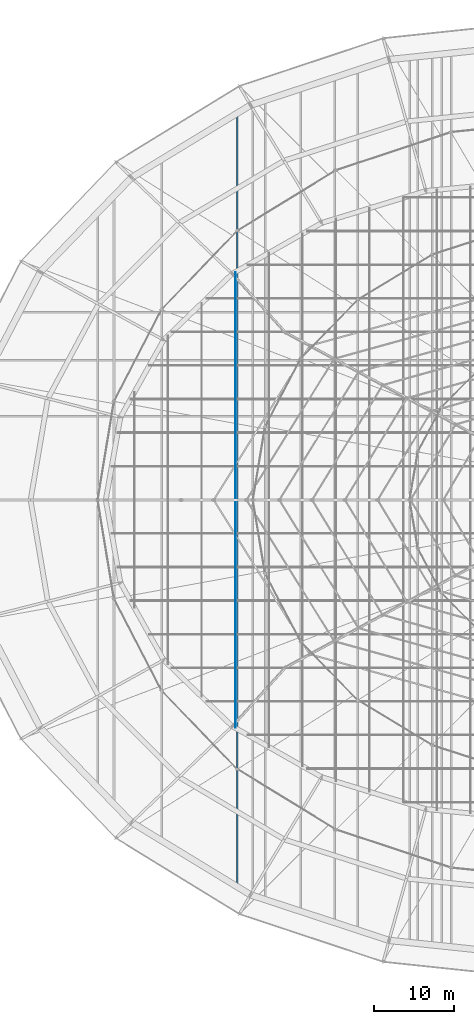
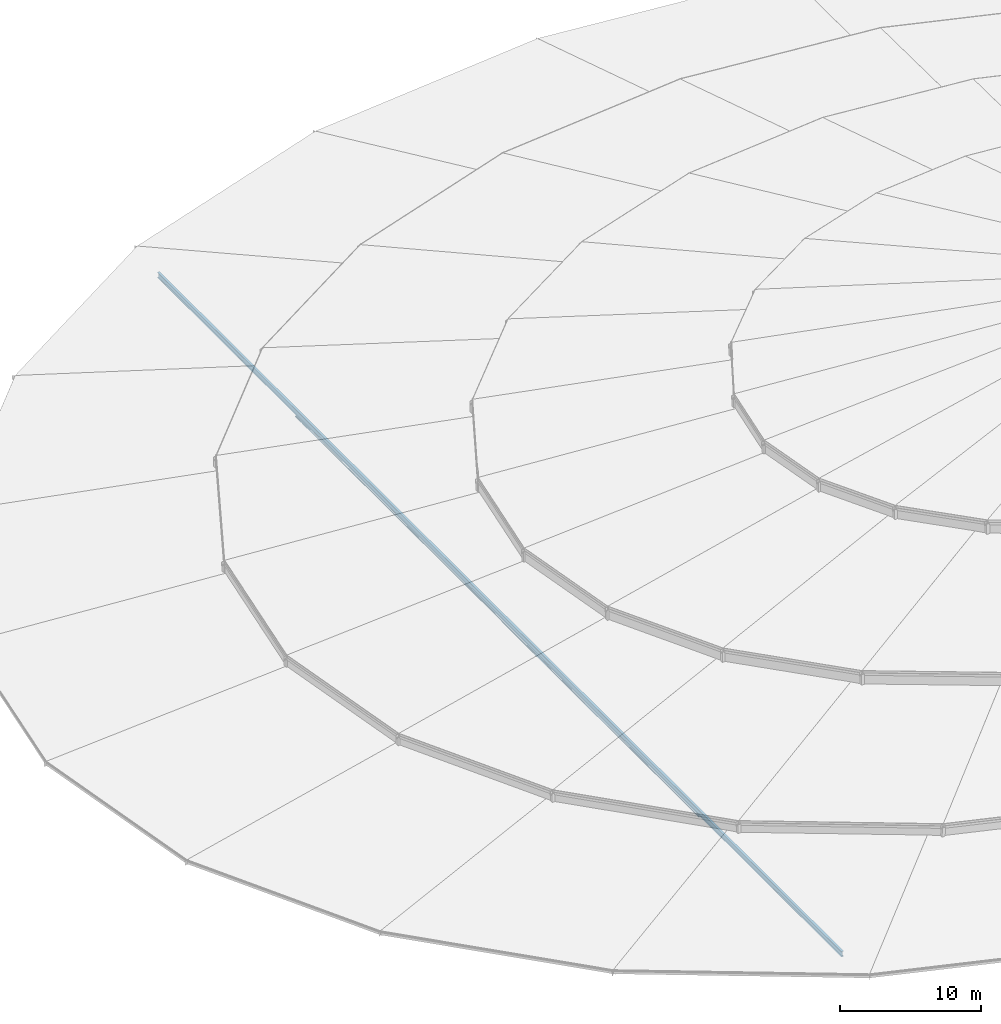
# One storey, part 14 of 184: 2 members.
"""IFC4 building model written with IfcOpenShell, lengths in metres."""

from ifc_helpers import new_model, si_unit, direction, frame, origin, origin_2d, place, context, subcontext, project, spatial, circle, i_section, extrude, material, material_profile, profile_set, type_object, element, save


model = new_model("IFC4")

# Units and contexts
model_context = context("Model", 3, precision=1e-05, world=origin(), true_north=direction((0.0, 1.0)))
body_context = subcontext(model_context, "Body", "Model", "MODEL_VIEW")
ifc_project = project(units=[si_unit("LENGTHUNIT", "METRE"), si_unit("AREAUNIT", "SQUARE_METRE"), si_unit("VOLUMEUNIT", "CUBIC_METRE"), si_unit("PLANEANGLEUNIT", "RADIAN"), si_unit("MASSUNIT", "GRAM", prefix="KILO")], contexts=[model_context])

# Site, building, storey
site_placement = place(None, origin())
site = spatial("IfcSite", under=ifc_project, at=site_placement, CompositionType="ELEMENT")
building_placement = place(site_placement, origin())
building = spatial("IfcBuilding", under=site, at=building_placement, Name="Kalgoora Escarpment Arena", CompositionType="ELEMENT")
storey_placement = place(building_placement, frame((0.0, 0.0, 27.60009765625)))
storey = spatial("IfcBuildingStorey", under=building, at=storey_placement, Name="Roof Level", CompositionType="ELEMENT", Elevation=27.60009765625)

# Members
ifc_material_1 = material(Name="High-tensile spiral strand steel Grade 450 (350 MPa)", Category="steel")
ifc_material_profile_1 = material_profile(ifc_material_1, circle(Radius=0.028076171875, at=origin_2d()))
ifc_profile_set_1 = profile_set([ifc_material_profile_1], Name="High-tensile spiral strand steel Grade 450 (350 MPa)")
member_type_1 = type_object("IfcMemberType", Name="MEM-CABLE-56", PredefinedType="USERDEFINED", material=ifc_profile_set_1)
member_1_placement = place(storey_placement, frame((54.60009765625, 35.49755859375, -1.190185546875), z_axis=(0.0, 1.0, 0.0), x_axis=(-1.0, 0.0, 0.0)))
element("IfcMember", 1, at=member_1_placement, inside=storey, type_object=member_type_1, Name="Roof saddle pretensioning cable Y-22", ObjectType="CABLE", PredefinedType="USERDEFINED", context=body_context, shape_type="SweptSolid", body=[
    extrude(circle(Radius=0.028076171875, at=origin_2d()), origin(), (0.0, 0.0, 1.0), 57.0048828125),
])
ifc_material_2 = material(Name="Structural steel AS/NZS 3679 (300 MPa)", Category="steel")
ifc_material_profile_2 = material_profile(ifc_material_2, i_section(OverallWidth=0.19091796875, OverallDepth=0.4599609375, WebThickness=0.010009765625, FlangeThickness=0.01611328125, at=origin_2d()))
ifc_profile_set_2 = profile_set([ifc_material_profile_2], Name="Structural steel AS/NZS 3679 (300 MPa)")
member_type_2 = type_object("IfcMemberType", Name="MEM-CARRIER-CHORD", PredefinedType="CHORD", material=ifc_profile_set_2)
member_2_placement = place(storey_placement, frame((54.8564453125, 15.6376953125, -1.080078125), z_axis=(0.0, 1.0, 0.0), x_axis=(-1.0, 0.0, 0.0)))
element("IfcMember", 2, at=member_2_placement, inside=storey, type_object=member_type_2, Name="Petal RP2 spanning carrier chord C10", PredefinedType="CHORD", context=body_context, shape_type="SweptSolid", body=[
    extrude(i_section(OverallWidth=0.19091796875, OverallDepth=0.4599609375, WebThickness=0.010009765625, FlangeThickness=0.01611328125, at=origin_2d()), origin(), (0.0, 0.0, 1.0), 96.724609375),
])

save(model, "model.ifc")
